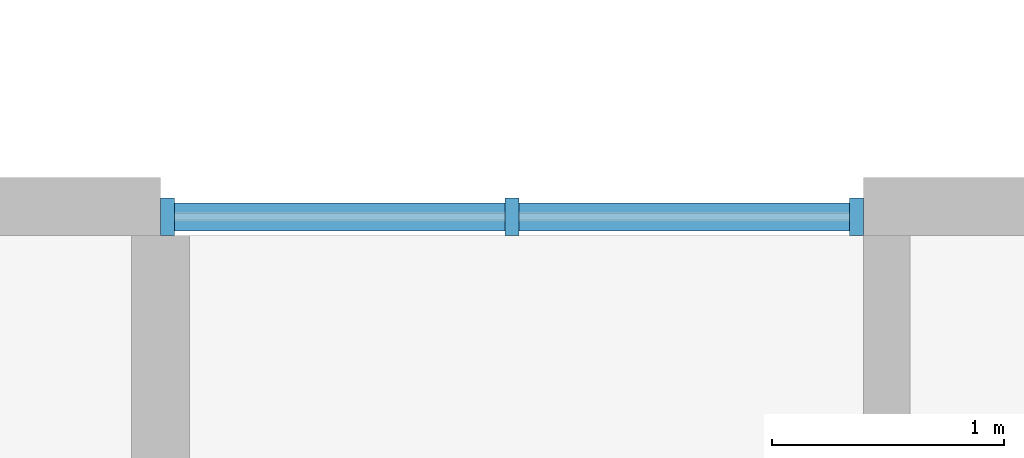
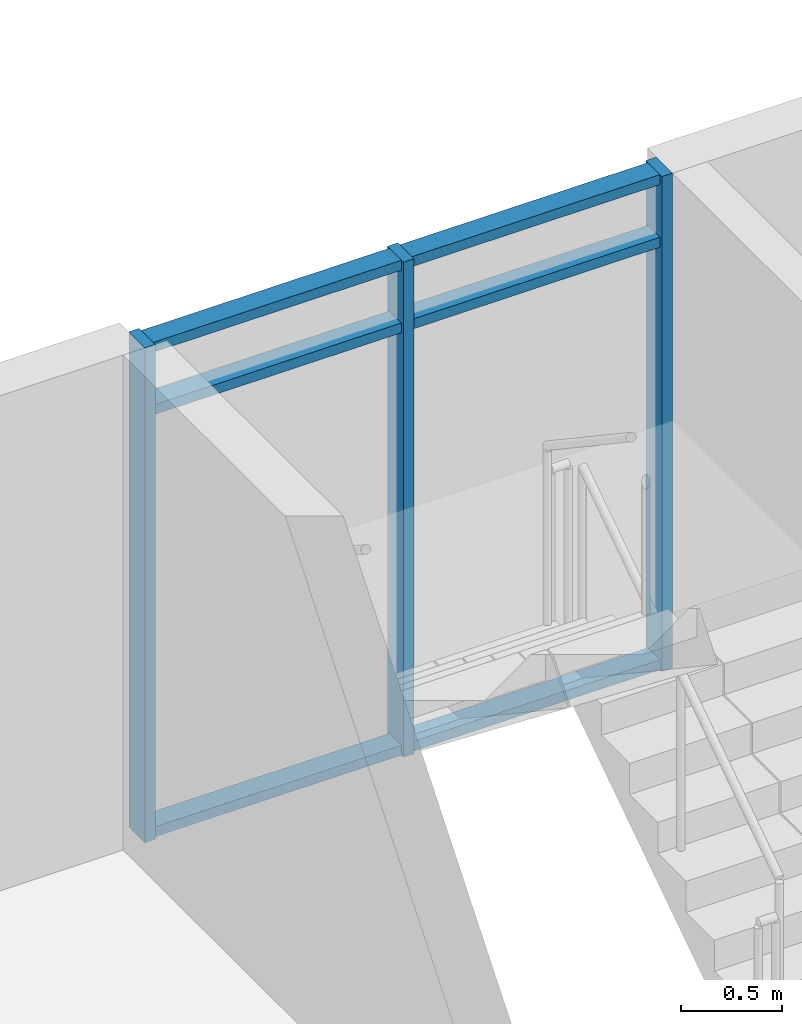
# One storey, part 17 of 64: 9 members, 1 element without a shape of its own.
"""IFC4 building model written with IfcOpenShell, lengths in metres."""

from ifc_helpers import new_model, si_unit, direction, frame, origin, origin_2d, place, context, subcontext, project, spatial, rectangle, extrude, material, material_profile, profile_set, type_object, element, aggregate, save


model = new_model("IFC4")

# Units and contexts
model_context = context("Model", 3, precision=1e-05, world=origin(), true_north=direction((0.0, 1.0)))
body_context = subcontext(model_context, "Body", "Model", "MODEL_VIEW")
ifc_project = project(units=[si_unit("LENGTHUNIT", "METRE"), si_unit("AREAUNIT", "SQUARE_METRE"), si_unit("VOLUMEUNIT", "CUBIC_METRE"), si_unit("PLANEANGLEUNIT", "RADIAN"), si_unit("MASSUNIT", "GRAM", prefix="KILO")], contexts=[model_context])

# Site, building, storey
site_placement = place(None, origin())
site = spatial("IfcSite", under=ifc_project, at=site_placement, CompositionType="ELEMENT")
building_placement = place(site_placement, origin())
building = spatial("IfcBuilding", under=site, at=building_placement, Name="Ridgestep Commons", CompositionType="ELEMENT")
storey_placement = place(building_placement, frame((0.0, 0.0, 33.0)))
storey = spatial("IfcBuildingStorey", under=building, at=storey_placement, Name="L11", CompositionType="ELEMENT", Elevation=33.0)

# Curtain wall, members
ifc_material_1 = material(Name="Aluminium 6063-T6 and glass", Category="aluminium")
curtain_wall_type = type_object("IfcCurtainWallType", Name="Curtain wall stair strip", PredefinedType="NOTDEFINED", material=ifc_material_1)
curtain_wall_placement = place(storey_placement, origin())
curtain_wall = element("IfcCurtainWall", 1, at=curtain_wall_placement, inside=storey, type_object=curtain_wall_type, Name="Curtain wall C5C level 11", PredefinedType="NOTDEFINED")
ifc_material_2 = material(Name="Aluminium 6063-T6", Category="aluminium")
ifc_material_profile_1 = material_profile(ifc_material_2, rectangle(XDim=0.159912109375, YDim=0.06005859375, at=origin_2d()), Name="Mullion 60 x 160")
ifc_profile_set_1 = profile_set([ifc_material_profile_1], Name="Aluminium 6063-T6")
member_type_1 = type_object("IfcMemberType", Name="Mullion 60 x 160", PredefinedType="MULLION", material=ifc_profile_set_1)
member_1_placement = place(storey_placement, frame((224.830078125, 77.080078125, 0.0), z_axis=(0.0, 0.0, 1.0), x_axis=(0.0, 1.0, 0.0)))
member_1 = element("IfcMember", 2, at=member_1_placement, type_object=member_type_1, Name="CW1 mullion 1", PredefinedType="MULLION", context=body_context, shape_type="SweptSolid", body=[
    extrude(rectangle(XDim=0.159912109375, YDim=0.06005859375, at=origin_2d()), origin(), (0.0, 0.0, 1.0), 3.0),
])
member_2_placement = place(storey_placement, frame((226.3125, 77.080078125, 0.0), z_axis=(0.0, 0.0, 1.0), x_axis=(0.0, 1.0, 0.0)))
member_2 = element("IfcMember", 3, at=member_2_placement, type_object=member_type_1, Name="CW1 mullion 2", PredefinedType="MULLION", context=body_context, shape_type="SweptSolid", body=[
    extrude(rectangle(XDim=0.159912109375, YDim=0.06005859375, at=origin_2d()), origin(), (0.0, 0.0, 1.0), 3.0),
])
member_3_placement = place(storey_placement, frame((227.794921875, 77.080078125, 0.0), z_axis=(0.0, 0.0, 1.0), x_axis=(0.0, 1.0, 0.0)))
member_3 = element("IfcMember", 4, at=member_3_placement, type_object=member_type_1, Name="CW1 mullion 3", PredefinedType="MULLION", context=body_context, shape_type="SweptSolid", body=[
    extrude(rectangle(XDim=0.159912109375, YDim=0.06005859375, at=origin_2d()), origin(), (0.0, 0.0, 1.0), 3.0),
])
ifc_material_3 = material(Name="Aluminium 6063-T6", Category="aluminium")
ifc_material_profile_2 = material_profile(ifc_material_3, rectangle(XDim=0.1201171875, YDim=0.06005859375, at=origin_2d()), Name="Transom 60 x 120")
ifc_profile_set_2 = profile_set([ifc_material_profile_2], Name="Aluminium 6063-T6")
member_type_2 = type_object("IfcMemberType", Name="Transom 60 x 120", PredefinedType="USERDEFINED", material=ifc_profile_set_2)
member_4_placement = place(storey_placement, frame((224.860107421875, 77.080078125, 0.030029296875), z_axis=(1.0, 0.0, 0.0), x_axis=(0.0, 1.0, 0.0)))
member_4 = element("IfcMember", 5, at=member_4_placement, type_object=member_type_2, Name="CW1 transom 1.1", ObjectType="TRANSOM", PredefinedType="USERDEFINED", context=body_context, shape_type="SweptSolid", body=[
    extrude(rectangle(XDim=0.1201171875, YDim=0.06005859375, at=origin_2d()), origin(), (0.0, 0.0, 1.0), 1.42236328125),
])
member_5_placement = place(storey_placement, frame((224.860107421875, 77.080078125, 2.590087890625), z_axis=(1.0, 0.0, 0.0), x_axis=(0.0, 1.0, 0.0)))
member_5 = element("IfcMember", 6, at=member_5_placement, type_object=member_type_2, Name="CW1 transom 1.2", ObjectType="TRANSOM", PredefinedType="USERDEFINED", context=body_context, shape_type="SweptSolid", body=[
    extrude(rectangle(XDim=0.1201171875, YDim=0.06005859375, at=origin_2d()), origin(), (0.0, 0.0, 1.0), 1.42236328125),
])
member_6_placement = place(storey_placement, frame((224.860107421875, 77.080078125, 2.969970703125), z_axis=(1.0, 0.0, 0.0), x_axis=(0.0, 1.0, 0.0)))
member_6 = element("IfcMember", 7, at=member_6_placement, type_object=member_type_2, Name="CW1 transom 1.3", ObjectType="TRANSOM", PredefinedType="USERDEFINED", context=body_context, shape_type="SweptSolid", body=[
    extrude(rectangle(XDim=0.1201171875, YDim=0.06005859375, at=origin_2d()), origin(), (0.0, 0.0, 1.0), 1.42236328125),
])
member_7_placement = place(storey_placement, frame((226.342529296875, 77.080078125, 0.030029296875), z_axis=(1.0, 0.0, 0.0), x_axis=(0.0, 1.0, 0.0)))
member_7 = element("IfcMember", 8, at=member_7_placement, type_object=member_type_2, Name="CW1 transom 2.1", ObjectType="TRANSOM", PredefinedType="USERDEFINED", context=body_context, shape_type="SweptSolid", body=[
    extrude(rectangle(XDim=0.1201171875, YDim=0.06005859375, at=origin_2d()), origin(), (0.0, 0.0, 1.0), 1.42236328125),
])
member_8_placement = place(storey_placement, frame((226.342529296875, 77.080078125, 2.590087890625), z_axis=(1.0, 0.0, 0.0), x_axis=(0.0, 1.0, 0.0)))
member_8 = element("IfcMember", 9, at=member_8_placement, type_object=member_type_2, Name="CW1 transom 2.2", ObjectType="TRANSOM", PredefinedType="USERDEFINED", context=body_context, shape_type="SweptSolid", body=[
    extrude(rectangle(XDim=0.1201171875, YDim=0.06005859375, at=origin_2d()), origin(), (0.0, 0.0, 1.0), 1.42236328125),
])
member_9_placement = place(storey_placement, frame((226.342529296875, 77.080078125, 2.969970703125), z_axis=(1.0, 0.0, 0.0), x_axis=(0.0, 1.0, 0.0)))
member_9 = element("IfcMember", 10, at=member_9_placement, type_object=member_type_2, Name="CW1 transom 2.3", ObjectType="TRANSOM", PredefinedType="USERDEFINED", context=body_context, shape_type="SweptSolid", body=[
    extrude(rectangle(XDim=0.1201171875, YDim=0.06005859375, at=origin_2d()), origin(), (0.0, 0.0, 1.0), 1.42236328125),
])
aggregate(curtain_wall, [member_1, member_2, member_3, member_4, member_5, member_6, member_7, member_8, member_9])

save(model, "model.ifc")
